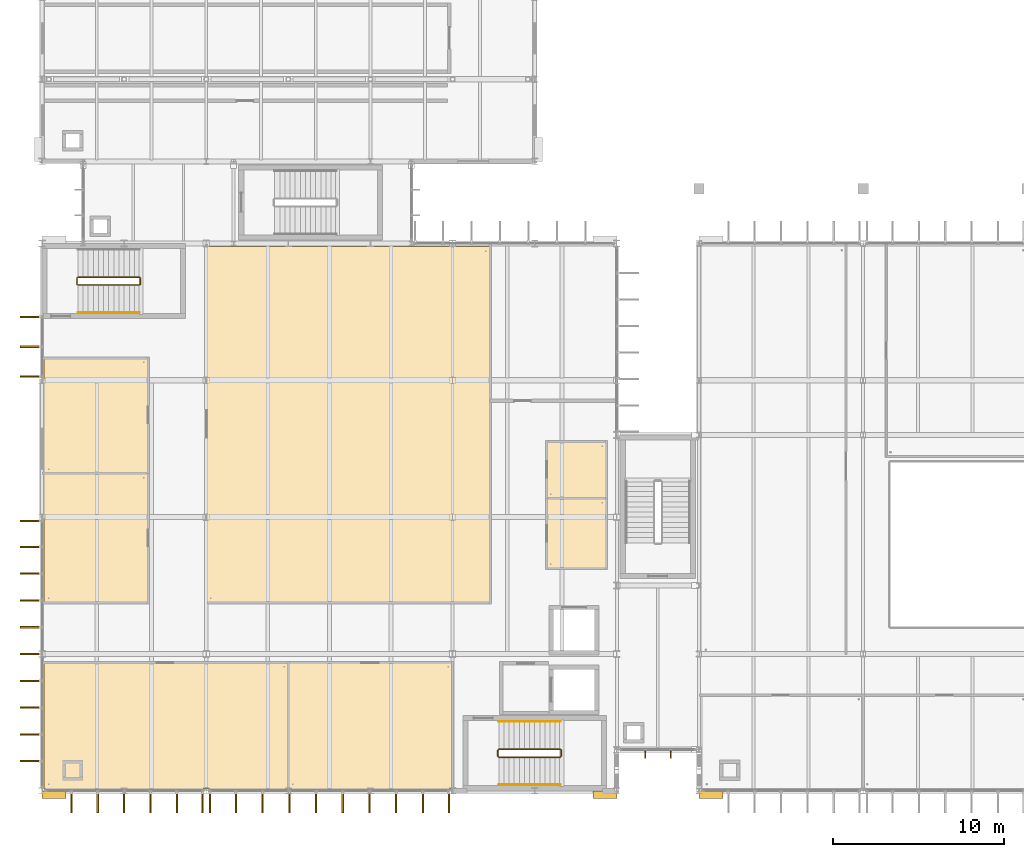
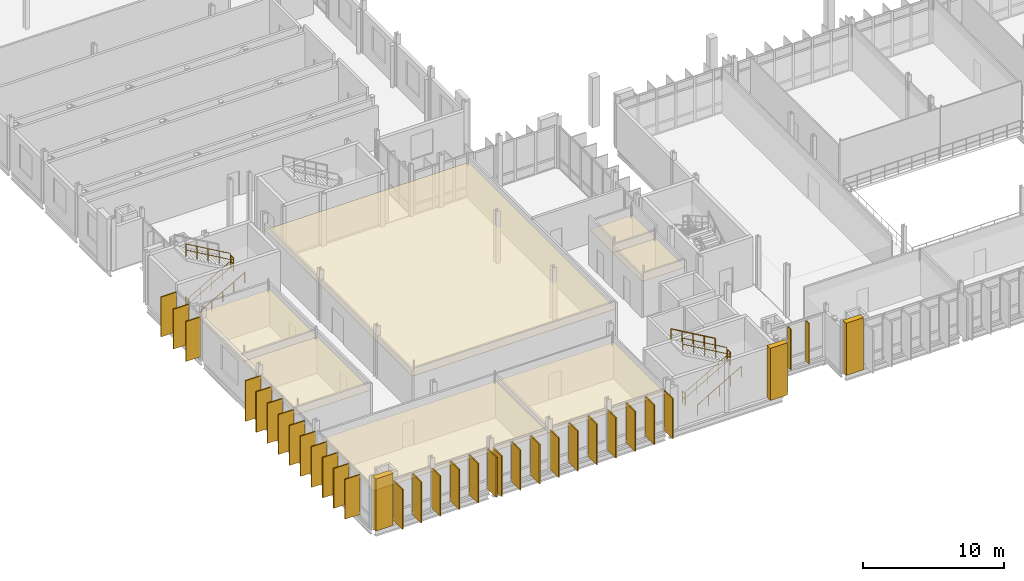
# One storey, part 101 of 110: 39 coverings, 11 railings, 2 shading devices.
"""IFC4 building model written with IfcOpenShell, lengths in metres."""

from ifc_helpers import new_model, si_unit, direction, frame, origin, origin_2d, place, context, subcontext, project, spatial, polyline, rectangle, circle, outline, extrude, material, layer, layer_set, type_object, element, save


model = new_model("IFC4")

# Units and contexts
model_context = context("Model", 3, precision=1e-05, world=origin(), true_north=direction((0.0, 1.0)))
body_context = subcontext(model_context, "Body", "Model", "MODEL_VIEW")
ifc_project = project(units=[si_unit("LENGTHUNIT", "METRE"), si_unit("AREAUNIT", "SQUARE_METRE"), si_unit("VOLUMEUNIT", "CUBIC_METRE"), si_unit("PLANEANGLEUNIT", "RADIAN"), si_unit("MASSUNIT", "GRAM", prefix="KILO")], contexts=[model_context])

# Site, building, storey
site_placement = place(None, origin())
site = spatial("IfcSite", under=ifc_project, at=site_placement, CompositionType="ELEMENT")
building_placement = place(site_placement, origin())
building = spatial("IfcBuilding", under=site, at=building_placement, Name="Dunescarp Central Library", CompositionType="ELEMENT")
storey_placement = place(building_placement, frame((0.0, 0.0, 9.60009765625)))
storey = spatial("IfcBuildingStorey", under=building, at=storey_placement, Name="L02", CompositionType="ELEMENT", Elevation=9.60009765625)

# Coverings
ifc_material_1 = material(Name="Perforated birch acoustic timber baffle", Category="wood")
ifc_layer_1 = layer(ifc_material_1, 0.050048828125)
ifc_layer_set_1 = layer_set([ifc_layer_1], Name="Perforated birch acoustic timber baffle")
covering_type_1 = type_object("IfcCoveringType", Name="ARC-COV-BAFFLE", PredefinedType="CEILING", material=ifc_layer_set_1)
covering_1_placement = place(storey_placement, frame((0.0, 0.0, 3.0498046875)))
element("IfcCovering", 1, at=covering_1_placement, inside=storey, type_object=covering_type_1, Name="L02 ceiling Reference Reading Salon", PredefinedType="CEILING", context=body_context, shape_type="SweptSolid", body=[
    extrude(outline(polyline([(0.1201171875, 4.919921875), (14.419921875, 4.919921875), (14.419921875, 12.320068359375), (0.1201171875, 12.320068359375), (0.1201171875, 4.919921875)])), origin(), (0.0, 0.0, 1.0), 0.050048828125),
])
covering_2_placement = place(storey_placement, frame((0.0, 0.0, 3.0498046875)))
element("IfcCovering", 2, at=covering_2_placement, inside=storey, type_object=covering_type_1, Name="L02 ceiling Humanities & Social Sciences Reading Hall", PredefinedType="CEILING", context=body_context, shape_type="SweptSolid", body=[
    extrude(outline(polyline([(9.580078125, 15.780029296875), (26.219970703125, 15.780029296875), (26.219970703125, 36.6201171875), (9.580078125, 36.6201171875), (9.580078125, 15.780029296875)])), origin(), (0.0, 0.0, 1.0), 0.050048828125),
])
ifc_material_2 = material(Name="Mineral-fibre acoustic ceiling tile")
ifc_layer_2 = layer(ifc_material_2, 0.0400390625)
ifc_layer_set_2 = layer_set([ifc_layer_2], Name="Mineral-fibre acoustic ceiling tile")
covering_type_2 = type_object("IfcCoveringType", Name="ARC-COV-CEIL40", PredefinedType="CEILING", material=ifc_layer_set_2)
covering_3_placement = place(storey_placement, frame((0.0, 0.0, 3.0498046875)))
element("IfcCovering", 3, at=covering_3_placement, inside=storey, type_object=covering_type_2, Name="L02 ceiling Public Toilets", PredefinedType="CEILING", context=body_context, shape_type="SweptSolid", body=[
    extrude(outline(polyline([(29.47998046875, 17.780029296875), (33.02001953125, 17.780029296875), (33.02001953125, 21.919921875), (29.47998046875, 21.919921875), (29.47998046875, 17.780029296875)])), origin(), (0.0, 0.0, 1.0), 0.0400390625),
])
covering_4_placement = place(storey_placement, frame((0.0, 0.0, 3.0498046875)))
element("IfcCovering", 4, at=covering_4_placement, inside=storey, type_object=covering_type_2, Name="L02 ceiling Accessible Toilet", PredefinedType="CEILING", context=body_context, shape_type="SweptSolid", body=[
    extrude(outline(polyline([(29.47998046875, 21.8798828125), (33.02001953125, 21.8798828125), (33.02001953125, 25.219970703125), (29.47998046875, 25.219970703125), (29.47998046875, 21.8798828125)])), origin(), (0.0, 0.0, 1.0), 0.0400390625),
])
covering_5_placement = place(storey_placement, frame((0.0, 0.0, 3.0498046875)))
element("IfcCovering", 5, at=covering_5_placement, inside=storey, type_object=covering_type_2, Name="L02 ceiling Legal & Civic Consultation Room", PredefinedType="CEILING", context=body_context, shape_type="SweptSolid", body=[
    extrude(outline(polyline([(14.3798828125, 4.919921875), (24.02001953125, 4.919921875), (24.02001953125, 12.320068359375), (14.3798828125, 12.320068359375), (14.3798828125, 4.919921875)])), origin(), (0.0, 0.0, 1.0), 0.0400390625),
])
covering_6_placement = place(storey_placement, frame((0.0, 0.0, 3.0498046875)))
element("IfcCovering", 6, at=covering_6_placement, inside=storey, type_object=covering_type_2, Name="L02 ceiling Quiet Study Carrel Suite West", PredefinedType="CEILING", context=body_context, shape_type="SweptSolid", body=[
    extrude(outline(polyline([(0.1201171875, 15.780029296875), (6.219970703125, 15.780029296875), (6.219970703125, 23.3798828125), (0.1201171875, 23.3798828125), (0.1201171875, 15.780029296875)])), origin(), (0.0, 0.0, 1.0), 0.0400390625),
])
covering_7_placement = place(storey_placement, frame((0.0, 0.0, 3.0498046875)))
element("IfcCovering", 7, at=covering_7_placement, inside=storey, type_object=covering_type_2, Name="L02 ceiling Microfilm & Digitisation Reader Room", PredefinedType="CEILING", context=body_context, shape_type="SweptSolid", body=[
    extrude(outline(polyline([(0.1201171875, 23.340087890625), (6.219970703125, 23.340087890625), (6.219970703125, 30.1201171875), (0.1201171875, 30.1201171875), (0.1201171875, 23.340087890625)])), origin(), (0.0, 0.0, 1.0), 0.0400390625),
])
ifc_material_3 = material(Name="Glass-fibre reinforced concrete GRC", Category="concrete")
ifc_layer_3 = layer(ifc_material_3, 0.090087890625)
ifc_layer_set_3 = layer_set([ifc_layer_3], Name="Glass-fibre reinforced concrete GRC")
covering_type_3 = type_object("IfcCoveringType", Name="ARC-COV-FIN1250", PredefinedType="CLADDING", material=ifc_layer_set_3)
covering_8_placement = place(storey_placement, frame((9.385009765625, 4.137939453125, 0.1669921875), z_axis=(0.0, 0.0, 1.0), x_axis=(0.0, -1.0, 0.0)))
element("IfcCovering", 8, at=covering_8_placement, inside=storey, type_object=covering_type_3, Name="L02 parametric vertical facade fin FIN-L02-0077", PredefinedType="CLADDING", context=body_context, shape_type="SweptSolid", body=[
    extrude(rectangle(XDim=1.25, YDim=0.090087890625, at=origin_2d()), origin(), (0.0, 0.0, 1.0), 3.43798828125),
])
covering_9_placement = place(storey_placement, frame((7.883056640625, 4.137939453125, 0.17919921875), z_axis=(0.0, 0.0, 1.0), x_axis=(0.0, -1.0, 0.0)))
element("IfcCovering", 9, at=covering_9_placement, inside=storey, type_object=covering_type_3, Name="L02 parametric vertical facade fin FIN-L02-0078", PredefinedType="CLADDING", context=body_context, shape_type="SweptSolid", body=[
    extrude(rectangle(XDim=1.25, YDim=0.090087890625, at=origin_2d()), origin(), (0.0, 0.0, 1.0), 3.425048828125),
])
covering_10_placement = place(storey_placement, frame((6.342041015625, 4.137939453125, 0.16455078125), z_axis=(0.0, 0.0, 1.0), x_axis=(0.0, -1.0, 0.0)))
element("IfcCovering", 10, at=covering_10_placement, inside=storey, type_object=covering_type_3, Name="L02 parametric vertical facade fin FIN-L02-0079", PredefinedType="CLADDING", context=body_context, shape_type="SweptSolid", body=[
    extrude(rectangle(XDim=1.25, YDim=0.090087890625, at=origin_2d()), origin(), (0.0, 0.0, 1.0), 3.44091796875),
])
covering_11_placement = place(storey_placement, frame((4.800048828125, 4.137939453125, 0.123046875), z_axis=(0.0, 0.0, 1.0), x_axis=(0.0, -1.0, 0.0)))
element("IfcCovering", 11, at=covering_11_placement, inside=storey, type_object=covering_type_3, Name="L02 parametric vertical facade fin FIN-L02-0080", PredefinedType="CLADDING", context=body_context, shape_type="SweptSolid", body=[
    extrude(rectangle(XDim=1.25, YDim=0.090087890625, at=origin_2d()), origin(), (0.0, 0.0, 1.0), 3.48193359375),
])
covering_12_placement = place(storey_placement, frame((3.258056640625, 4.137939453125, 0.080078125), z_axis=(0.0, 0.0, 1.0), x_axis=(0.0, -1.0, 0.0)))
element("IfcCovering", 12, at=covering_12_placement, inside=storey, type_object=covering_type_3, Name="L02 parametric vertical facade fin FIN-L02-0081", PredefinedType="CLADDING", context=body_context, shape_type="SweptSolid", body=[
    extrude(rectangle(XDim=1.25, YDim=0.090087890625, at=origin_2d()), origin(), (0.0, 0.0, 1.0), 3.513916015625),
])
covering_13_placement = place(storey_placement, frame((1.717041015625, 4.137939453125, 0.080078125), z_axis=(0.0, 0.0, 1.0), x_axis=(0.0, -1.0, 0.0)))
element("IfcCovering", 13, at=covering_13_placement, inside=storey, type_object=covering_type_3, Name="L02 parametric vertical facade fin FIN-L02-0082", PredefinedType="CLADDING", context=body_context, shape_type="SweptSolid", body=[
    extrude(rectangle(XDim=1.25, YDim=0.090087890625, at=origin_2d()), origin(), (0.0, 0.0, 1.0), 3.464111328125),
])
covering_14_placement = place(storey_placement, frame((23.784912109375, 4.137939453125, 0.1669921875), z_axis=(0.0, 0.0, 1.0), x_axis=(0.0, -1.0, 0.0)))
element("IfcCovering", 14, at=covering_14_placement, inside=storey, type_object=covering_type_3, Name="L02 parametric vertical facade fin FIN-L02-0083", PredefinedType="CLADDING", context=body_context, shape_type="SweptSolid", body=[
    extrude(rectangle(XDim=1.25, YDim=0.090087890625, at=origin_2d()), origin(), (0.0, 0.0, 1.0), 3.43798828125),
])
covering_15_placement = place(storey_placement, frame((22.263916015625, 4.137939453125, 0.17919921875), z_axis=(0.0, 0.0, 1.0), x_axis=(0.0, -1.0, 0.0)))
element("IfcCovering", 15, at=covering_15_placement, inside=storey, type_object=covering_type_3, Name="L02 parametric vertical facade fin FIN-L02-0084", PredefinedType="CLADDING", context=body_context, shape_type="SweptSolid", body=[
    extrude(rectangle(XDim=1.25, YDim=0.090087890625, at=origin_2d()), origin(), (0.0, 0.0, 1.0), 3.425048828125),
])
covering_16_placement = place(storey_placement, frame((20.702880859375, 4.137939453125, 0.16455078125), z_axis=(0.0, 0.0, 1.0), x_axis=(0.0, -1.0, 0.0)))
element("IfcCovering", 16, at=covering_16_placement, inside=storey, type_object=covering_type_3, Name="L02 parametric vertical facade fin FIN-L02-0085", PredefinedType="CLADDING", context=body_context, shape_type="SweptSolid", body=[
    extrude(rectangle(XDim=1.25, YDim=0.090087890625, at=origin_2d()), origin(), (0.0, 0.0, 1.0), 3.44091796875),
])
covering_17_placement = place(storey_placement, frame((19.14208984375, 4.137939453125, 0.123046875), z_axis=(0.0, 0.0, 1.0), x_axis=(0.0, -1.0, 0.0)))
element("IfcCovering", 17, at=covering_17_placement, inside=storey, type_object=covering_type_3, Name="L02 parametric vertical facade fin FIN-L02-0086", PredefinedType="CLADDING", context=body_context, shape_type="SweptSolid", body=[
    extrude(rectangle(XDim=1.25, YDim=0.090087890625, at=origin_2d()), origin(), (0.0, 0.0, 1.0), 3.48193359375),
])
covering_18_placement = place(storey_placement, frame((17.5810546875, 4.137939453125, 0.080078125), z_axis=(0.0, 0.0, 1.0), x_axis=(0.0, -1.0, 0.0)))
element("IfcCovering", 18, at=covering_18_placement, inside=storey, type_object=covering_type_3, Name="L02 parametric vertical facade fin FIN-L02-0087", PredefinedType="CLADDING", context=body_context, shape_type="SweptSolid", body=[
    extrude(rectangle(XDim=1.25, YDim=0.090087890625, at=origin_2d()), origin(), (0.0, 0.0, 1.0), 3.513916015625),
])
covering_19_placement = place(storey_placement, frame((16.01904296875, 4.137939453125, 0.080078125), z_axis=(0.0, 0.0, 1.0), x_axis=(0.0, -1.0, 0.0)))
element("IfcCovering", 19, at=covering_19_placement, inside=storey, type_object=covering_type_3, Name="L02 parametric vertical facade fin FIN-L02-0088", PredefinedType="CLADDING", context=body_context, shape_type="SweptSolid", body=[
    extrude(rectangle(XDim=1.25, YDim=0.090087890625, at=origin_2d()), origin(), (0.0, 0.0, 1.0), 3.464111328125),
])
covering_20_placement = place(storey_placement, frame((14.4580078125, 4.137939453125, 0.08056640625), z_axis=(0.0, 0.0, 1.0), x_axis=(0.0, -1.0, 0.0)))
element("IfcCovering", 20, at=covering_20_placement, inside=storey, type_object=covering_type_3, Name="L02 parametric vertical facade fin FIN-L02-0089", PredefinedType="CLADDING", context=body_context, shape_type="SweptSolid", body=[
    extrude(rectangle(XDim=1.25, YDim=0.090087890625, at=origin_2d()), origin(), (0.0, 0.0, 1.0), 3.430908203125),
])
covering_21_placement = place(storey_placement, frame((12.89697265625, 4.137939453125, 0.07958984375), z_axis=(0.0, 0.0, 1.0), x_axis=(0.0, -1.0, 0.0)))
element("IfcCovering", 21, at=covering_21_placement, inside=storey, type_object=covering_type_3, Name="L02 parametric vertical facade fin FIN-L02-0090", PredefinedType="CLADDING", context=body_context, shape_type="SweptSolid", body=[
    extrude(rectangle(XDim=1.25, YDim=0.090087890625, at=origin_2d()), origin(), (0.0, 0.0, 1.0), 3.427001953125),
])
covering_22_placement = place(storey_placement, frame((11.3359375, 4.137939453125, 0.07958984375), z_axis=(0.0, 0.0, 1.0), x_axis=(0.0, -1.0, 0.0)))
element("IfcCovering", 22, at=covering_22_placement, inside=storey, type_object=covering_type_3, Name="L02 parametric vertical facade fin FIN-L02-0091", PredefinedType="CLADDING", context=body_context, shape_type="SweptSolid", body=[
    extrude(rectangle(XDim=1.25, YDim=0.090087890625, at=origin_2d()), origin(), (0.0, 0.0, 1.0), 3.450927734375),
])
covering_23_placement = place(storey_placement, frame((9.81494140625, 4.137939453125, 0.079345703125), z_axis=(0.0, 0.0, 1.0), x_axis=(0.0, -1.0, 0.0)))
element("IfcCovering", 23, at=covering_23_placement, inside=storey, type_object=covering_type_3, Name="L02 parametric vertical facade fin FIN-L02-0092", PredefinedType="CLADDING", context=body_context, shape_type="SweptSolid", body=[
    extrude(rectangle(XDim=1.25, YDim=0.090087890625, at=origin_2d()), origin(), (0.0, 0.0, 1.0), 3.4970703125),
])
covering_24_placement = place(storey_placement, frame((-0.662109375, 6.5400390625, 0.17919921875), z_axis=(0.0, 0.0, 1.0), x_axis=(-1.0, 0.0, 0.0)))
element("IfcCovering", 24, at=covering_24_placement, inside=storey, type_object=covering_type_3, Name="L02 parametric vertical facade fin FIN-L02-0100", PredefinedType="CLADDING", context=body_context, shape_type="SweptSolid", body=[
    extrude(rectangle(XDim=1.25, YDim=0.090087890625, at=origin_2d()), origin(), (0.0, 0.0, 1.0), 3.425048828125),
])
covering_25_placement = place(storey_placement, frame((-0.662109375, 8.10498046875, 0.16455078125), z_axis=(0.0, 0.0, 1.0), x_axis=(-1.0, 0.0, 0.0)))
element("IfcCovering", 25, at=covering_25_placement, inside=storey, type_object=covering_type_3, Name="L02 parametric vertical facade fin FIN-L02-0101", PredefinedType="CLADDING", context=body_context, shape_type="SweptSolid", body=[
    extrude(rectangle(XDim=1.25, YDim=0.090087890625, at=origin_2d()), origin(), (0.0, 0.0, 1.0), 3.44091796875),
])
covering_26_placement = place(storey_placement, frame((-0.662109375, 9.669921875, 0.123046875), z_axis=(0.0, 0.0, 1.0), x_axis=(-1.0, 0.0, 0.0)))
element("IfcCovering", 26, at=covering_26_placement, inside=storey, type_object=covering_type_3, Name="L02 parametric vertical facade fin FIN-L02-0102", PredefinedType="CLADDING", context=body_context, shape_type="SweptSolid", body=[
    extrude(rectangle(XDim=1.25, YDim=0.090087890625, at=origin_2d()), origin(), (0.0, 0.0, 1.0), 3.48193359375),
])
covering_27_placement = place(storey_placement, frame((-0.662109375, 11.235107421875, 0.080078125), z_axis=(0.0, 0.0, 1.0), x_axis=(-1.0, 0.0, 0.0)))
element("IfcCovering", 27, at=covering_27_placement, inside=storey, type_object=covering_type_3, Name="L02 parametric vertical facade fin FIN-L02-0103", PredefinedType="CLADDING", context=body_context, shape_type="SweptSolid", body=[
    extrude(rectangle(XDim=1.25, YDim=0.090087890625, at=origin_2d()), origin(), (0.0, 0.0, 1.0), 3.513916015625),
])
covering_28_placement = place(storey_placement, frame((-0.662109375, 12.800048828125, 0.080078125), z_axis=(0.0, 0.0, 1.0), x_axis=(-1.0, 0.0, 0.0)))
element("IfcCovering", 28, at=covering_28_placement, inside=storey, type_object=covering_type_3, Name="L02 parametric vertical facade fin FIN-L02-0104", PredefinedType="CLADDING", context=body_context, shape_type="SweptSolid", body=[
    extrude(rectangle(XDim=1.25, YDim=0.090087890625, at=origin_2d()), origin(), (0.0, 0.0, 1.0), 3.464111328125),
])
covering_29_placement = place(storey_placement, frame((-0.662109375, 14.364990234375, 0.08056640625), z_axis=(0.0, 0.0, 1.0), x_axis=(-1.0, 0.0, 0.0)))
element("IfcCovering", 29, at=covering_29_placement, inside=storey, type_object=covering_type_3, Name="L02 parametric vertical facade fin FIN-L02-0105", PredefinedType="CLADDING", context=body_context, shape_type="SweptSolid", body=[
    extrude(rectangle(XDim=1.25, YDim=0.090087890625, at=origin_2d()), origin(), (0.0, 0.0, 1.0), 3.430908203125),
])
covering_30_placement = place(storey_placement, frame((-0.662109375, 15.929931640625, 0.07958984375), z_axis=(0.0, 0.0, 1.0), x_axis=(-1.0, 0.0, 0.0)))
element("IfcCovering", 30, at=covering_30_placement, inside=storey, type_object=covering_type_3, Name="L02 parametric vertical facade fin FIN-L02-0106", PredefinedType="CLADDING", context=body_context, shape_type="SweptSolid", body=[
    extrude(rectangle(XDim=1.25, YDim=0.090087890625, at=origin_2d()), origin(), (0.0, 0.0, 1.0), 3.427001953125),
])
covering_31_placement = place(storey_placement, frame((-0.662109375, 17.4951171875, 0.07958984375), z_axis=(0.0, 0.0, 1.0), x_axis=(-1.0, 0.0, 0.0)))
element("IfcCovering", 31, at=covering_31_placement, inside=storey, type_object=covering_type_3, Name="L02 parametric vertical facade fin FIN-L02-0107", PredefinedType="CLADDING", context=body_context, shape_type="SweptSolid", body=[
    extrude(rectangle(XDim=1.25, YDim=0.090087890625, at=origin_2d()), origin(), (0.0, 0.0, 1.0), 3.450927734375),
])
covering_32_placement = place(storey_placement, frame((-0.662109375, 19.06005859375, 0.079345703125), z_axis=(0.0, 0.0, 1.0), x_axis=(-1.0, 0.0, 0.0)))
element("IfcCovering", 32, at=covering_32_placement, inside=storey, type_object=covering_type_3, Name="L02 parametric vertical facade fin FIN-L02-0108", PredefinedType="CLADDING", context=body_context, shape_type="SweptSolid", body=[
    extrude(rectangle(XDim=1.25, YDim=0.090087890625, at=origin_2d()), origin(), (0.0, 0.0, 1.0), 3.4970703125),
])
covering_33_placement = place(storey_placement, frame((-0.662109375, 20.5849609375, 0.1064453125), z_axis=(0.0, 0.0, 1.0), x_axis=(-1.0, 0.0, 0.0)))
element("IfcCovering", 33, at=covering_33_placement, inside=storey, type_object=covering_type_3, Name="L02 parametric vertical facade fin FIN-L02-0109", PredefinedType="CLADDING", context=body_context, shape_type="SweptSolid", body=[
    extrude(rectangle(XDim=1.25, YDim=0.090087890625, at=origin_2d()), origin(), (0.0, 0.0, 1.0), 3.4990234375),
])
covering_34_placement = place(storey_placement, frame((-0.662109375, 29.014892578125, 0.1669921875), z_axis=(0.0, 0.0, 1.0), x_axis=(-1.0, 0.0, 0.0)))
element("IfcCovering", 34, at=covering_34_placement, inside=storey, type_object=covering_type_3, Name="L02 parametric vertical facade fin FIN-L02-0110", PredefinedType="CLADDING", context=body_context, shape_type="SweptSolid", body=[
    extrude(rectangle(XDim=1.25, YDim=0.090087890625, at=origin_2d()), origin(), (0.0, 0.0, 1.0), 3.43798828125),
])
covering_35_placement = place(storey_placement, frame((-0.662109375, 30.761962890625, 0.17919921875), z_axis=(0.0, 0.0, 1.0), x_axis=(-1.0, 0.0, 0.0)))
element("IfcCovering", 35, at=covering_35_placement, inside=storey, type_object=covering_type_3, Name="L02 parametric vertical facade fin FIN-L02-0111", PredefinedType="CLADDING", context=body_context, shape_type="SweptSolid", body=[
    extrude(rectangle(XDim=1.25, YDim=0.090087890625, at=origin_2d()), origin(), (0.0, 0.0, 1.0), 3.425048828125),
])
covering_36_placement = place(storey_placement, frame((-0.662109375, 32.510009765625, 0.16455078125), z_axis=(0.0, 0.0, 1.0), x_axis=(-1.0, 0.0, 0.0)))
element("IfcCovering", 36, at=covering_36_placement, inside=storey, type_object=covering_type_3, Name="L02 parametric vertical facade fin FIN-L02-0112", PredefinedType="CLADDING", context=body_context, shape_type="SweptSolid", body=[
    extrude(rectangle(XDim=1.25, YDim=0.090087890625, at=origin_2d()), origin(), (0.0, 0.0, 1.0), 3.44091796875),
])
ifc_layer_4 = layer(ifc_material_3, 0.449951171875)
ifc_layer_set_4 = layer_set([ifc_layer_4], Name="Glass-fibre reinforced concrete GRC")
covering_type_4 = type_object("IfcCoveringType", Name="ARC-COV-PORTAL", PredefinedType="CLADDING", material=ifc_layer_set_4)
for number, where, z_axis, x_axis, name in (
    (37, (39.10009765625, 4.580078125, 0.0), (0.0, 0.0, 1.0), (1.0, 0.0, 0.0), "V2 sculpted GRC portal pier PRT-BAND-V2-009"),
    (38, (0.699951171875, 4.580078125, 0.0), (0.0, 0.0, 1.0), (1.0, 0.0, 0.0), "V1 sculpted GRC portal pier PRT-BAND-V1-089"),
    (39, (32.89990234375, 4.580078125, 0.0), (0.0, 0.0, 1.0), (1.0, 0.0, 0.0), "V1 sculpted GRC portal pier PRT-BAND-V1-091"),
):
    element("IfcCovering", number, at=place(storey_placement, frame(where, z_axis=z_axis, x_axis=x_axis)), inside=storey, type_object=covering_type_4, Name=name, PredefinedType="CLADDING", context=body_context, shape_type="SweptSolid", body=[
        extrude(rectangle(XDim=1.39990234375, YDim=0.449951171875, at=origin_2d()), origin(), (0.0, 0.0, 1.0), 4.5),
    ])

# Railings
ifc_material_4 = material(Name="Stainless steel Grade 316L", Category="steel")
railing_type_1 = type_object("IfcRailingType", Name="ARC-RL-GUARD", PredefinedType="GUARDRAIL", material=ifc_material_4)
railing_1_placement = place(storey_placement, frame((26.699951171875, 6.77001953125, 0.173095703125)))
element("IfcRailing", 40, at=railing_1_placement, inside=storey, type_object=railing_type_1, Name="L02 ST-1 stair guard 1", PredefinedType="GUARDRAIL", context=body_context, shape_type="SweptSolid", body=[
    extrude(circle(Radius=0.02392578125, at=origin_2d()), frame((0.0, 0.0, 1.076171875), z_axis=(0.866193409371, 0.0, 0.499708892819), x_axis=(0.0, 1.0, 0.0)), (0.0, 0.0, 1.0), 4.15625),
    extrude(circle(Radius=0.02392578125, at=origin_2d()), frame((0.0, 0.0, 0.550048828125), z_axis=(0.866193409371, 0.0, 0.499708892819), x_axis=(0.0, 1.0, 0.0)), (0.0, 0.0, 1.0), 4.15625),
    extrude(circle(Radius=0.02099609375, at=origin_2d()), origin(), (0.0, 0.0, 1.0), 1.052001953125),
    extrude(circle(Radius=0.02099609375, at=origin_2d()), frame((0.89990234375, 0.0, 0.519287109375)), (0.0, 0.0, 1.0), 1.052001953125),
    extrude(circle(Radius=0.02099609375, at=origin_2d()), frame((1.800048828125, 0.0, 1.03857421875)), (0.0, 0.0, 1.0), 1.052001953125),
    extrude(circle(Radius=0.02099609375, at=origin_2d()), frame((2.7001953125, 0.0, 1.5576171875)), (0.0, 0.0, 1.0), 1.052001953125),
    extrude(circle(Radius=0.02099609375, at=origin_2d()), frame((3.60009765625, 0.0, 2.076904296875)), (0.0, 0.0, 1.0), 1.052001953125),
])
railing_2_placement = place(storey_placement, frame((30.35009765625, 6.820068359375, 2.25)))
element("IfcRailing", 41, at=railing_2_placement, inside=storey, type_object=railing_type_1, Name="L02 ST-1 stair guard 2", PredefinedType="GUARDRAIL", context=body_context, shape_type="SweptSolid", body=[
    extrude(circle(Radius=0.02392578125, at=origin_2d()), frame((0.0, 0.0, 1.076171875), z_axis=(0.0, 1.0, 0.0), x_axis=(-1.0, 0.0, 0.0)), (0.0, 0.0, 1.0), 0.35986328125),
    extrude(circle(Radius=0.02392578125, at=origin_2d()), frame((0.0, 0.0, 0.550048828125), z_axis=(0.0, 1.0, 0.0), x_axis=(-1.0, 0.0, 0.0)), (0.0, 0.0, 1.0), 0.35986328125),
    extrude(circle(Radius=0.02099609375, at=origin_2d()), origin(), (0.0, 0.0, 1.0), 1.052001953125),
    extrude(circle(Radius=0.02099609375, at=origin_2d()), frame((0.0, 0.35986328125, 0.0)), (0.0, 0.0, 1.0), 1.052001953125),
])
railing_3_placement = place(storey_placement, frame((30.300048828125, 7.22998046875, 2.423095703125)))
element("IfcRailing", 42, at=railing_3_placement, inside=storey, type_object=railing_type_1, Name="L02 ST-1 stair guard 3", PredefinedType="GUARDRAIL", context=body_context, shape_type="SweptSolid", body=[
    extrude(circle(Radius=0.02392578125, at=origin_2d()), frame((0.0, 0.0, 1.076171875), z_axis=(-0.866193409371, 0.0, 0.499708892819), x_axis=(0.0, -1.0, 0.0)), (0.0, 0.0, 1.0), 4.15625),
    extrude(circle(Radius=0.02392578125, at=origin_2d()), frame((0.0, 0.0, 0.550048828125), z_axis=(-0.866193409371, 0.0, 0.499708892819), x_axis=(0.0, -1.0, 0.0)), (0.0, 0.0, 1.0), 4.15625),
    extrude(circle(Radius=0.02099609375, at=origin_2d()), origin(), (0.0, 0.0, 1.0), 1.052001953125),
    extrude(circle(Radius=0.02099609375, at=origin_2d()), frame((-0.89990234375, 0.0, 0.519287109375)), (0.0, 0.0, 1.0), 1.052001953125),
    extrude(circle(Radius=0.02099609375, at=origin_2d()), frame((-1.800048828125, 0.0, 1.03857421875)), (0.0, 0.0, 1.0), 1.052001953125),
    extrude(circle(Radius=0.02099609375, at=origin_2d()), frame((-2.7001953125, 0.0, 1.5576171875)), (0.0, 0.0, 1.0), 1.052001953125),
    extrude(circle(Radius=0.02099609375, at=origin_2d()), frame((-3.60009765625, 0.0, 2.076904296875)), (0.0, 0.0, 1.0), 1.052001953125),
])
railing_4_placement = place(storey_placement, frame((26.64990234375, 6.820068359375, 0.0)))
element("IfcRailing", 43, at=railing_4_placement, inside=storey, type_object=railing_type_1, Name="L02 ST-1 stair guard 4", PredefinedType="GUARDRAIL", context=body_context, shape_type="SweptSolid", body=[
    extrude(circle(Radius=0.02392578125, at=origin_2d()), frame((0.0, 0.0, 1.076171875), z_axis=(0.0, 1.0, 0.0), x_axis=(-1.0, 0.0, 0.0)), (0.0, 0.0, 1.0), 0.35986328125),
    extrude(circle(Radius=0.02392578125, at=origin_2d()), frame((0.0, 0.0, 0.550048828125), z_axis=(0.0, 1.0, 0.0), x_axis=(-1.0, 0.0, 0.0)), (0.0, 0.0, 1.0), 0.35986328125),
    extrude(circle(Radius=0.02099609375, at=origin_2d()), origin(), (0.0, 0.0, 1.0), 1.052001953125),
    extrude(circle(Radius=0.02099609375, at=origin_2d()), frame((0.0, 0.35986328125, 0.0)), (0.0, 0.0, 1.0), 1.052001953125),
])
railing_5_placement = place(storey_placement, frame((2.10009765625, 34.3701171875, 0.173095703125)))
element("IfcRailing", 44, at=railing_5_placement, inside=storey, type_object=railing_type_1, Name="L02 ST-6 stair guard 1", PredefinedType="GUARDRAIL", context=body_context, shape_type="SweptSolid", body=[
    extrude(circle(Radius=0.02392578125, at=origin_2d()), frame((0.0, 0.0, 1.076171875), z_axis=(0.866178740119, 0.0, 0.499734319579), x_axis=(0.0, 1.0, 0.0)), (0.0, 0.0, 1.0), 4.156005859375),
    extrude(circle(Radius=0.02392578125, at=origin_2d()), frame((0.0, 0.0, 0.550048828125), z_axis=(0.866178740119, 0.0, 0.499734319579), x_axis=(0.0, 1.0, 0.0)), (0.0, 0.0, 1.0), 4.156005859375),
    extrude(circle(Radius=0.02099609375, at=origin_2d()), origin(), (0.0, 0.0, 1.0), 1.052001953125),
    extrude(circle(Radius=0.02099609375, at=origin_2d()), frame((0.89990234375, 0.0, 0.519287109375)), (0.0, 0.0, 1.0), 1.052001953125),
    extrude(circle(Radius=0.02099609375, at=origin_2d()), frame((1.7998046875, 0.0, 1.03857421875)), (0.0, 0.0, 1.0), 1.052001953125),
    extrude(circle(Radius=0.02099609375, at=origin_2d()), frame((2.699951171875, 0.0, 1.5576171875)), (0.0, 0.0, 1.0), 1.052001953125),
    extrude(circle(Radius=0.02099609375, at=origin_2d()), frame((3.599853515625, 0.0, 2.076904296875)), (0.0, 0.0, 1.0), 1.052001953125),
])
railing_6_placement = place(storey_placement, frame((5.75, 34.419921875, 2.25)))
element("IfcRailing", 45, at=railing_6_placement, inside=storey, type_object=railing_type_1, Name="L02 ST-6 stair guard 2", PredefinedType="GUARDRAIL", context=body_context, shape_type="SweptSolid", body=[
    extrude(circle(Radius=0.02392578125, at=origin_2d()), frame((0.0, 0.0, 1.076171875), z_axis=(0.0, 1.0, 0.0), x_axis=(-1.0, 0.0, 0.0)), (0.0, 0.0, 1.0), 0.360107421875),
    extrude(circle(Radius=0.02392578125, at=origin_2d()), frame((0.0, 0.0, 0.550048828125), z_axis=(0.0, 1.0, 0.0), x_axis=(-1.0, 0.0, 0.0)), (0.0, 0.0, 1.0), 0.360107421875),
    extrude(circle(Radius=0.02099609375, at=origin_2d()), origin(), (0.0, 0.0, 1.0), 1.052001953125),
    extrude(circle(Radius=0.02099609375, at=origin_2d()), frame((0.0, 0.360107421875, 0.0)), (0.0, 0.0, 1.0), 1.052001953125),
])
railing_7_placement = place(storey_placement, frame((5.699951171875, 34.830078125, 2.423095703125)))
element("IfcRailing", 46, at=railing_7_placement, inside=storey, type_object=railing_type_1, Name="L02 ST-6 stair guard 3", PredefinedType="GUARDRAIL", context=body_context, shape_type="SweptSolid", body=[
    extrude(circle(Radius=0.02392578125, at=origin_2d()), frame((0.0, 0.0, 1.076171875), z_axis=(-0.866178740119, 0.0, 0.499734319579), x_axis=(0.0, -1.0, 0.0)), (0.0, 0.0, 1.0), 4.156005859375),
    extrude(circle(Radius=0.02392578125, at=origin_2d()), frame((0.0, 0.0, 0.550048828125), z_axis=(-0.866178740119, 0.0, 0.499734319579), x_axis=(0.0, -1.0, 0.0)), (0.0, 0.0, 1.0), 4.156005859375),
    extrude(circle(Radius=0.02099609375, at=origin_2d()), origin(), (0.0, 0.0, 1.0), 1.052001953125),
    extrude(circle(Radius=0.02099609375, at=origin_2d()), frame((-0.89990234375, 0.0, 0.519287109375)), (0.0, 0.0, 1.0), 1.052001953125),
    extrude(circle(Radius=0.02099609375, at=origin_2d()), frame((-1.7998046875, 0.0, 1.03857421875)), (0.0, 0.0, 1.0), 1.052001953125),
    extrude(circle(Radius=0.02099609375, at=origin_2d()), frame((-2.699951171875, 0.0, 1.5576171875)), (0.0, 0.0, 1.0), 1.052001953125),
    extrude(circle(Radius=0.02099609375, at=origin_2d()), frame((-3.599853515625, 0.0, 2.076904296875)), (0.0, 0.0, 1.0), 1.052001953125),
])
railing_8_placement = place(storey_placement, frame((2.050048828125, 34.419921875, 0.0)))
element("IfcRailing", 47, at=railing_8_placement, inside=storey, type_object=railing_type_1, Name="L02 ST-6 stair guard 4", PredefinedType="GUARDRAIL", context=body_context, shape_type="SweptSolid", body=[
    extrude(circle(Radius=0.02392578125, at=origin_2d()), frame((0.0, 0.0, 1.076171875), z_axis=(0.0, 1.0, 0.0), x_axis=(-1.0, 0.0, 0.0)), (0.0, 0.0, 1.0), 0.360107421875),
    extrude(circle(Radius=0.02392578125, at=origin_2d()), frame((0.0, 0.0, 0.550048828125), z_axis=(0.0, 1.0, 0.0), x_axis=(-1.0, 0.0, 0.0)), (0.0, 0.0, 1.0), 0.360107421875),
    extrude(circle(Radius=0.02099609375, at=origin_2d()), origin(), (0.0, 0.0, 1.0), 1.052001953125),
    extrude(circle(Radius=0.02099609375, at=origin_2d()), frame((0.0, 0.360107421875, 0.0)), (0.0, 0.0, 1.0), 1.052001953125),
])
railing_type_2 = type_object("IfcRailingType", Name="ARC-RL-HAND", PredefinedType="HANDRAIL", material=ifc_material_4)
railing_9_placement = place(storey_placement, frame((26.699951171875, 5.14990234375, 0.173095703125)))
element("IfcRailing", 48, at=railing_9_placement, inside=storey, type_object=railing_type_2, Name="L02 ST-1 stair handrail 1", PredefinedType="HANDRAIL", context=body_context, shape_type="SweptSolid", body=[
    extrude(circle(Radius=0.02392578125, at=origin_2d()), frame((0.0, 0.0, 0.8857421875), z_axis=(0.866193409371, 0.0, 0.499708892819), x_axis=(0.0, 1.0, 0.0)), (0.0, 0.0, 1.0), 4.15625),
    extrude(circle(Radius=0.02099609375, at=origin_2d()), origin(), (0.0, 0.0, 1.0), 0.86181640625),
    extrude(circle(Radius=0.02099609375, at=origin_2d()), frame((0.89990234375, 0.0, 0.519287109375)), (0.0, 0.0, 1.0), 0.86181640625),
    extrude(circle(Radius=0.02099609375, at=origin_2d()), frame((1.800048828125, 0.0, 1.03857421875)), (0.0, 0.0, 1.0), 0.86181640625),
    extrude(circle(Radius=0.02099609375, at=origin_2d()), frame((2.7001953125, 0.0, 1.5576171875)), (0.0, 0.0, 1.0), 0.86181640625),
    extrude(circle(Radius=0.02099609375, at=origin_2d()), frame((3.60009765625, 0.0, 2.076904296875)), (0.0, 0.0, 1.0), 0.86181640625),
])
railing_10_placement = place(storey_placement, frame((30.300048828125, 8.85009765625, 2.423095703125)))
element("IfcRailing", 49, at=railing_10_placement, inside=storey, type_object=railing_type_2, Name="L02 ST-1 stair handrail 2", PredefinedType="HANDRAIL", context=body_context, shape_type="SweptSolid", body=[
    extrude(circle(Radius=0.02392578125, at=origin_2d()), frame((0.0, 0.0, 0.8857421875), z_axis=(-0.866193409371, 0.0, 0.499708892819), x_axis=(0.0, -1.0, 0.0)), (0.0, 0.0, 1.0), 4.15625),
    extrude(circle(Radius=0.02099609375, at=origin_2d()), origin(), (0.0, 0.0, 1.0), 0.86181640625),
    extrude(circle(Radius=0.02099609375, at=origin_2d()), frame((-0.89990234375, 0.0, 0.519287109375)), (0.0, 0.0, 1.0), 0.86181640625),
    extrude(circle(Radius=0.02099609375, at=origin_2d()), frame((-1.800048828125, 0.0, 1.03857421875)), (0.0, 0.0, 1.0), 0.86181640625),
    extrude(circle(Radius=0.02099609375, at=origin_2d()), frame((-2.7001953125, 0.0, 1.5576171875)), (0.0, 0.0, 1.0), 0.86181640625),
    extrude(circle(Radius=0.02099609375, at=origin_2d()), frame((-3.60009765625, 0.0, 2.076904296875)), (0.0, 0.0, 1.0), 0.86181640625),
])
railing_11_placement = place(storey_placement, frame((2.10009765625, 32.75, 0.173095703125)))
element("IfcRailing", 50, at=railing_11_placement, inside=storey, type_object=railing_type_2, Name="L02 ST-6 stair handrail 1", PredefinedType="HANDRAIL", context=body_context, shape_type="SweptSolid", body=[
    extrude(circle(Radius=0.02392578125, at=origin_2d()), frame((0.0, 0.0, 0.8857421875), z_axis=(0.866178740119, 0.0, 0.499734319579), x_axis=(0.0, 1.0, 0.0)), (0.0, 0.0, 1.0), 4.156005859375),
    extrude(circle(Radius=0.02099609375, at=origin_2d()), origin(), (0.0, 0.0, 1.0), 0.86181640625),
    extrude(circle(Radius=0.02099609375, at=origin_2d()), frame((0.89990234375, 0.0, 0.519287109375)), (0.0, 0.0, 1.0), 0.86181640625),
    extrude(circle(Radius=0.02099609375, at=origin_2d()), frame((1.7998046875, 0.0, 1.03857421875)), (0.0, 0.0, 1.0), 0.86181640625),
    extrude(circle(Radius=0.02099609375, at=origin_2d()), frame((2.699951171875, 0.0, 1.5576171875)), (0.0, 0.0, 1.0), 0.86181640625),
    extrude(circle(Radius=0.02099609375, at=origin_2d()), frame((3.599853515625, 0.0, 2.076904296875)), (0.0, 0.0, 1.0), 0.86181640625),
])

# Shading devices
ifc_material_5 = material(Name="Marine-grade anodised aluminium 6063-T6", Category="aluminium")
ifc_layer_5 = layer(ifc_material_5, 0.06005859375)
ifc_layer_set_5 = layer_set([ifc_layer_5], Name="Marine-grade anodised aluminium 6063-T6")
shading_device_type = type_object("IfcShadingDeviceType", Name="ARC-SHD-FIN", PredefinedType="USERDEFINED", material=ifc_layer_set_5)
for number, where, z_axis, x_axis, name in (
    (51, (36.741943359375, 6.93896484375, 0.1494140625), (0.0, 0.0, 1.0), (0.0, -1.0, 0.0), "L02 link sunshade fin SHDF-L02-1089"),
    (52, (35.258056640625, 6.93896484375, 0.1494140625), (0.0, 0.0, 1.0), (0.0, -1.0, 0.0), "L02 link sunshade fin SHDF-L02-1090"),
):
    element("IfcShadingDevice", number, at=place(storey_placement, frame(where, z_axis=z_axis, x_axis=x_axis)), inside=storey, type_object=shading_device_type, Name=name, ObjectType="FIN", PredefinedType="USERDEFINED", context=body_context, shape_type="SweptSolid", body=[
        extrude(rectangle(XDim=0.449951171875, YDim=0.06005859375, at=origin_2d()), origin(), (0.0, 0.0, 1.0), 3.485107421875),
    ])

save(model, "model.ifc")
